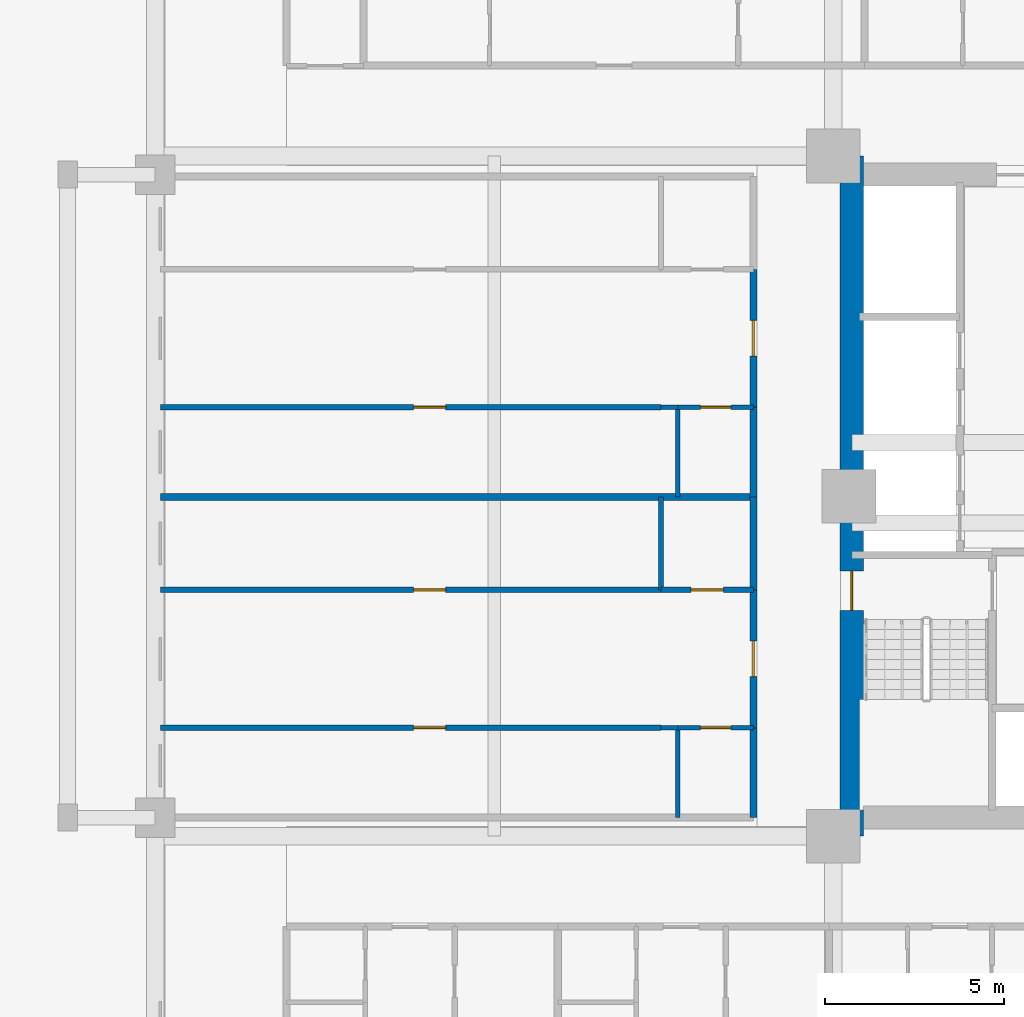
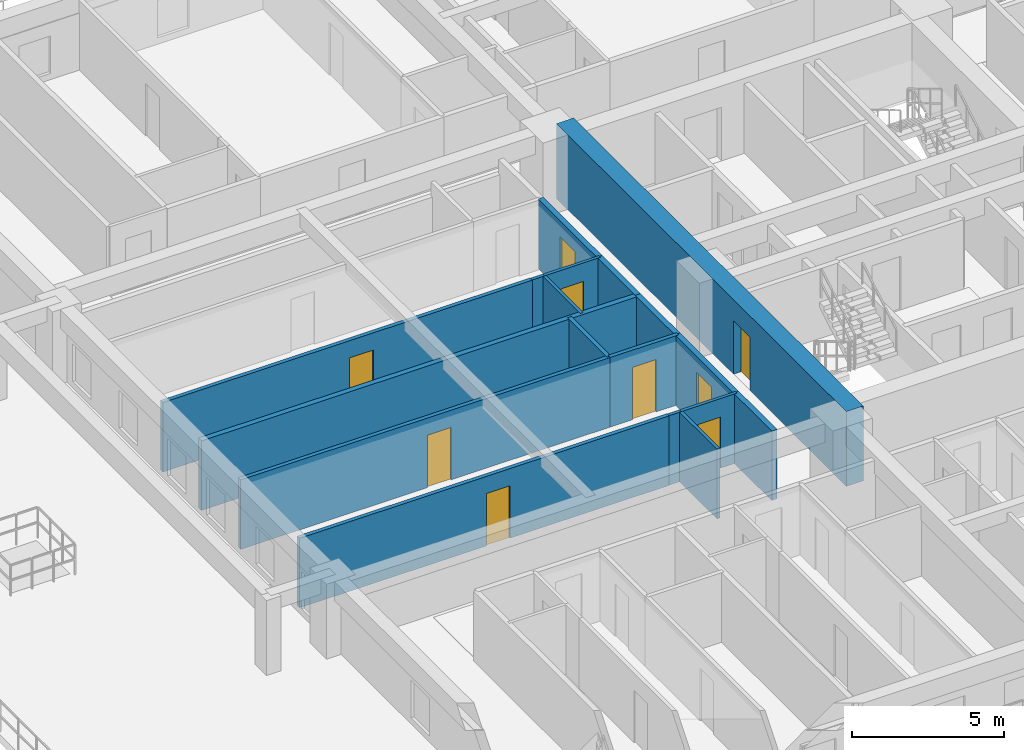
# One storey, part 3 of 19: 18 walls, 9 doors, 9 openings.
"""IFC4 building model written with IfcOpenShell, lengths in metres."""

from ifc_helpers import new_model, si_unit, direction, frame, frame_2d, origin, place, context, subcontext, project, spatial, rectangle, extrude, source, transform, mapped, material, layer, layer_set, type_object, element, fill, save


model = new_model("IFC4")

# Units and contexts
model_context = context("Model", 3, precision=1e-05, world=origin(), true_north=direction((0.0, 1.0)))
body_context = subcontext(model_context, "Body", "Model", "MODEL_VIEW")
ifc_project = project(units=[si_unit("LENGTHUNIT", "METRE"), si_unit("AREAUNIT", "SQUARE_METRE"), si_unit("VOLUMEUNIT", "CUBIC_METRE"), si_unit("PLANEANGLEUNIT", "RADIAN"), si_unit("MASSUNIT", "GRAM", prefix="KILO")], contexts=[model_context])

# Site, building, storey
site_placement = place(None, origin())
site = spatial("IfcSite", under=ifc_project, at=site_placement, CompositionType="ELEMENT")
building_placement = place(site_placement, origin())
building = spatial("IfcBuilding", under=site, at=building_placement, Name="Saelheon Loggia Tower", CompositionType="ELEMENT")
storey_placement = place(building_placement, frame((0.0, 0.0, 19.39990234375)))
storey = spatial("IfcBuildingStorey", under=building, at=storey_placement, Name="L05", CompositionType="ELEMENT", Elevation=19.39990234375)

# Wall, opening, door
ifc_material_1 = material(Name="Concrete C60/75", Category="concrete")
ifc_layer_1 = layer(ifc_material_1, 0.64990234375)
ifc_layer_set_1 = layer_set([ifc_layer_1], Name="Concrete C60/75")
wall_type_1 = type_object("IfcWallType", Name="Wall_CoreShear_650", PredefinedType="SHEAR", material=ifc_layer_set_1)
wall_1_placement = place(storey_placement, frame((31.5, 17.47998046875, 0.0), z_axis=(0.0, 0.0, 1.0), x_axis=(0.0, 1.0, 0.0)))
wall_1 = element("IfcWall", 1, at=wall_1_placement, inside=storey, type_object=wall_type_1, Name="L05 Core Shear Wall West", PredefinedType="SHEAR", context=body_context, shape_type="SweptSolid", body=[
    extrude(rectangle(XDim=19.0400390625, YDim=0.64990234375, at=frame_2d((9.52001953125, 0.0))), origin(), (0.0, 0.0, 1.0), 3.0),
])
opening_1_placement = place(wall_1_placement, frame((6.320068359375, 0.0, 0.0)))
opening_1 = element("IfcOpeningElement", 2, at=opening_1_placement, cuts=wall_1, Name="Opening D-FD2", PredefinedType="OPENING", context=body_context, shape_type="SweptSolid", body=[
    extrude(rectangle(XDim=1.10009765625, YDim=2.14990234375, at=frame_2d((0.550048828125, 1.074951171875))), frame((0.0, 0.3369140625, 0.0), z_axis=(0.0, -1.0, 0.0), x_axis=(1.0, 0.0, 0.0)), (0.0, 0.0, 1.0), 0.673828125),
])
ifc_material_2 = material(Name="Galvanised Steel Fire Door", Category="steel")
door_type_1 = type_object("IfcDoorType", Name="Door_Fire_FD60_1100", OperationType="NOTDEFINED", PredefinedType="DOOR", material=ifc_material_2)
shared_shape_1 = source(origin(), body_context, "Body", "SweptSolid", [
    extrude(rectangle(XDim=1.10009765625, YDim=2.14990234375, at=frame_2d((0.550048828125, 1.074951171875))), frame((0.0, 0.02490234375, 0.0), z_axis=(0.0, -1.0, 0.0), x_axis=(1.0, 0.0, 0.0)), (0.0, 0.0, 1.0), 0.050048828125),
])
door_1_placement = place(opening_1_placement, origin())
door_1 = element("IfcDoor", 3, at=door_1_placement, inside=storey, type_object=door_type_1, Name="L05 Stair ST1 Corridor Door", OperationType="SINGLE_SWING_LEFT", OverallHeight=2.14990234375, OverallWidth=1.10009765625, PredefinedType="DOOR", context=body_context, shape_type="MappedRepresentation", body=[
    mapped(shared_shape_1, transform((0.0, 0.0, 0.0), scale=1.0)),
])
fill(opening_1, door_1)

# Wall
ifc_material_3 = material(Name="Lightweight Autoclaved Aerated Concrete Block and Acoustic Gypsum", Category="concrete")
ifc_layer_2 = layer(ifc_material_3, 0.14990234375)
ifc_layer_set_2 = layer_set([ifc_layer_2], Name="Lightweight Autoclaved Aerated Concrete Block and Acoustic Gypsum")
wall_type_2 = type_object("IfcWallType", Name="Wall_Part_150", PredefinedType="PARTITIONING", material=ifc_layer_set_2)
wall_2_placement = place(storey_placement, frame((26.159912109375, 24.375, 0.0), z_axis=(0.0, 0.0, 1.0), x_axis=(0.0, 1.0, 0.0)))
element("IfcWall", 4, at=wall_2_placement, inside=storey, type_object=wall_type_2, Name="L05 W Partition V07", PredefinedType="PARTITIONING", context=body_context, shape_type="SweptSolid", body=[
    extrude(rectangle(XDim=2.60009765625, YDim=0.14990234375, at=frame_2d((1.300048828125, 0.0))), origin(), (0.0, 0.0, 1.0), 2.7900390625),
])

# Wall, opening, door
wall_3_placement = place(storey_placement, frame((26.159912109375, 20.512939453125, 0.0), z_axis=(0.0, 0.0, 1.0), x_axis=(-1.0, 0.0, 0.0)))
wall_3 = element("IfcWall", 5, at=wall_3_placement, inside=storey, type_object=wall_type_2, Name="L05 W Partition U10", PredefinedType="PARTITIONING", context=body_context, shape_type="SweptSolid", body=[
    extrude(rectangle(XDim=14.010009765625, YDim=0.14990234375, at=frame_2d((7.0048828125, 0.0))), origin(), (0.0, 0.0, 1.0), 2.7900390625),
])
opening_2_placement = place(wall_3_placement, frame((6.02880859375, 0.0, 0.0)))
opening_2 = element("IfcOpeningElement", 6, at=opening_2_placement, cuts=wall_3, Name="Opening D-IN2", PredefinedType="OPENING", context=body_context, shape_type="SweptSolid", body=[
    extrude(rectangle(XDim=0.89990234375, YDim=2.10009765625, at=frame_2d((0.449951171875, 1.050048828125))), frame((0.0, 0.0869140625, 0.0), z_axis=(0.0, -1.0, 0.0), x_axis=(1.0, 0.0, 0.0)), (0.0, 0.0, 1.0), 0.173828125),
])
ifc_material_4 = material(Name="Engineered Oak Flush Door", Category="timber")
door_type_2 = type_object("IfcDoorType", Name="Door_Int_900", OperationType="NOTDEFINED", PredefinedType="DOOR", material=ifc_material_4)
shared_shape_2 = source(origin(), body_context, "Body", "SweptSolid", [
    extrude(rectangle(XDim=0.89990234375, YDim=2.10009765625, at=frame_2d((0.449951171875, 1.050048828125))), frame((0.0, 0.02490234375, 0.0), z_axis=(0.0, -1.0, 0.0), x_axis=(1.0, 0.0, 0.0)), (0.0, 0.0, 1.0), 0.050048828125),
])
door_2_placement = place(opening_2_placement, origin())
door_2 = element("IfcDoor", 7, at=door_2_placement, inside=storey, type_object=door_type_2, Name="Unit U11 Kitchen Door", OperationType="SINGLE_SWING_RIGHT", OverallHeight=2.10009765625, OverallWidth=0.89990234375, PredefinedType="DOOR", context=body_context, shape_type="MappedRepresentation", body=[
    mapped(shared_shape_2, transform((0.0, 0.0, 0.0), scale=1.0)),
])
fill(opening_2, door_2)

wall_4_placement = place(storey_placement, frame((28.75, 24.375, 0.0), z_axis=(0.0, 0.0, 1.0), x_axis=(-1.0, 0.0, 0.0)))
wall_4 = element("IfcWall", 8, at=wall_4_placement, inside=storey, type_object=wall_type_2, Name="L05 W Partition U11", PredefinedType="PARTITIONING", context=body_context, shape_type="SweptSolid", body=[
    extrude(rectangle(XDim=2.590087890625, YDim=0.14990234375, at=frame_2d((1.294921875, 0.0))), origin(), (0.0, 0.0, 1.0), 2.7900390625),
])
opening_3_placement = place(wall_4_placement, frame((0.844970703125, 0.0, 0.0)))
opening_3 = element("IfcOpeningElement", 9, at=opening_3_placement, cuts=wall_4, Name="Opening D-IN2", PredefinedType="OPENING", context=body_context, shape_type="SweptSolid", body=[
    extrude(rectangle(XDim=0.89990234375, YDim=2.10009765625, at=frame_2d((0.449951171875, 1.050048828125))), frame((0.0, 0.0869140625, 0.0), z_axis=(0.0, -1.0, 0.0), x_axis=(1.0, 0.0, 0.0)), (0.0, 0.0, 1.0), 0.173828125),
])
door_3_placement = place(opening_3_placement, origin())
door_3 = element("IfcDoor", 10, at=door_3_placement, inside=storey, type_object=door_type_2, Name="Unit U11 Dressing Closet Door", OperationType="SINGLE_SWING_LEFT", OverallHeight=2.10009765625, OverallWidth=0.89990234375, PredefinedType="DOOR", context=body_context, shape_type="MappedRepresentation", body=[
    mapped(shared_shape_2, transform((0.0, 0.0, 0.0), scale=1.0)),
])
fill(opening_3, door_3)

wall_5_placement = place(storey_placement, frame((26.159912109375, 24.375, 0.0), z_axis=(0.0, 0.0, 1.0), x_axis=(-1.0, 0.0, 0.0)))
wall_5 = element("IfcWall", 11, at=wall_5_placement, inside=storey, type_object=wall_type_2, Name="L05 W Partition U12", PredefinedType="PARTITIONING", context=body_context, shape_type="SweptSolid", body=[
    extrude(rectangle(XDim=14.010009765625, YDim=0.14990234375, at=frame_2d((7.0048828125, 0.0))), origin(), (0.0, 0.0, 1.0), 2.7900390625),
])
opening_4_placement = place(wall_5_placement, frame((6.02880859375, 0.0, 0.0)))
opening_4 = element("IfcOpeningElement", 12, at=opening_4_placement, cuts=wall_5, Name="Opening D-IN2", PredefinedType="OPENING", context=body_context, shape_type="SweptSolid", body=[
    extrude(rectangle(XDim=0.89990234375, YDim=2.10009765625, at=frame_2d((0.449951171875, 1.050048828125))), frame((0.0, 0.0869140625, 0.0), z_axis=(0.0, -1.0, 0.0), x_axis=(1.0, 0.0, 0.0)), (0.0, 0.0, 1.0), 0.173828125),
])
door_4_placement = place(opening_4_placement, origin())
door_4 = element("IfcDoor", 13, at=door_4_placement, inside=storey, type_object=door_type_2, Name="Unit U11 Bedroom 1 Door", OperationType="SINGLE_SWING_RIGHT", OverallHeight=2.10009765625, OverallWidth=0.89990234375, PredefinedType="DOOR", context=body_context, shape_type="MappedRepresentation", body=[
    mapped(shared_shape_2, transform((0.0, 0.0, 0.0), scale=1.0)),
])
fill(opening_4, door_4)

wall_6_placement = place(storey_placement, frame((26.159912109375, 29.488037109375, 0.0), z_axis=(0.0, 0.0, 1.0), x_axis=(-1.0, 0.0, 0.0)))
wall_6 = element("IfcWall", 14, at=wall_6_placement, inside=storey, type_object=wall_type_2, Name="L05 W Partition U21", PredefinedType="PARTITIONING", context=body_context, shape_type="SweptSolid", body=[
    extrude(rectangle(XDim=14.010009765625, YDim=0.14990234375, at=frame_2d((7.0048828125, 0.0))), origin(), (0.0, 0.0, 1.0), 2.7900390625),
])
opening_5_placement = place(wall_6_placement, frame((6.02880859375, 0.0, 0.0)))
opening_5 = element("IfcOpeningElement", 15, at=opening_5_placement, cuts=wall_6, Name="Opening D-IN2", PredefinedType="OPENING", context=body_context, shape_type="SweptSolid", body=[
    extrude(rectangle(XDim=0.89990234375, YDim=2.10009765625, at=frame_2d((0.449951171875, 1.050048828125))), frame((0.0, 0.0869140625, 0.0), z_axis=(0.0, -1.0, 0.0), x_axis=(1.0, 0.0, 0.0)), (0.0, 0.0, 1.0), 0.173828125),
])
door_5_placement = place(opening_5_placement, origin())
door_5 = element("IfcDoor", 16, at=door_5_placement, inside=storey, type_object=door_type_2, Name="Unit U12 Kitchen Door", OperationType="SINGLE_SWING_LEFT", OverallHeight=2.10009765625, OverallWidth=0.89990234375, PredefinedType="DOOR", context=body_context, shape_type="MappedRepresentation", body=[
    mapped(shared_shape_2, transform((0.0, 0.0, 0.0), scale=1.0)),
])
fill(opening_5, door_5)

# Wall
ifc_material_5 = material(Name="Double Acoustic Stud and Fireboard Partition", Category="gypsum")
ifc_layer_3 = layer(ifc_material_5, 0.199951171875)
ifc_layer_set_3 = layer_set([ifc_layer_3], Name="Double Acoustic Stud and Fireboard Partition")
wall_type_3 = type_object("IfcWallType", Name="Wall_Party_200", PredefinedType="PARTITIONING", material=ifc_layer_set_3)
wall_7_placement = place(storey_placement, frame((28.75, 18.0, 0.0), z_axis=(0.0, 0.0, 1.0), x_axis=(0.0, 1.0, 0.0)))
element("IfcWall", 17, at=wall_7_placement, inside=storey, type_object=wall_type_3, Name="L05 W Partition V03", PredefinedType="PARTITIONING", context=body_context, shape_type="SweptSolid", body=[
    extrude(rectangle(XDim=2.512939453125, YDim=0.199951171875, at=frame_2d((1.25634765625, 0.0))), origin(), (0.0, 0.0, 1.0), 2.7900390625),
])

# Wall, opening, door
wall_8_placement = place(storey_placement, frame((28.75, 20.512939453125, 0.0), z_axis=(0.0, 0.0, 1.0), x_axis=(0.0, 1.0, 0.0)))
wall_8 = element("IfcWall", 18, at=wall_8_placement, inside=storey, type_object=wall_type_3, Name="L05 W Partition V04", PredefinedType="PARTITIONING", context=body_context, shape_type="SweptSolid", body=[
    extrude(rectangle(XDim=3.862060546875, YDim=0.199951171875, at=frame_2d((1.93115234375, 0.0))), origin(), (0.0, 0.0, 1.0), 2.7900390625),
])
opening_6_placement = place(wall_8_placement, frame((1.430908203125, 0.0, 0.0)))
opening_6 = element("IfcOpeningElement", 19, at=opening_6_placement, cuts=wall_8, Name="Opening D-FD1", PredefinedType="OPENING", context=body_context, shape_type="SweptSolid", body=[
    extrude(rectangle(XDim=1.0, YDim=2.14990234375, at=frame_2d((0.5, 1.074951171875))), frame((0.0, 0.112060546875, 0.0), z_axis=(0.0, -1.0, 0.0), x_axis=(1.0, 0.0, 0.0)), (0.0, 0.0, 1.0), 0.223876953125),
])
ifc_material_6 = material(Name="Fire-Rated Engineered Timber Entrance Door", Category="wood")
door_type_3 = type_object("IfcDoorType", Name="Door_Flat_FD30S", OperationType="NOTDEFINED", PredefinedType="DOOR", material=ifc_material_6)
shared_shape_3 = source(origin(), body_context, "Body", "SweptSolid", [
    extrude(rectangle(XDim=1.0, YDim=2.14990234375, at=frame_2d((0.5, 1.074951171875))), frame((0.0, 0.02490234375, 0.0), z_axis=(0.0, -1.0, 0.0), x_axis=(1.0, 0.0, 0.0)), (0.0, 0.0, 1.0), 0.050048828125),
])
door_6_placement = place(opening_6_placement, origin())
door_6 = element("IfcDoor", 20, at=door_6_placement, inside=storey, type_object=door_type_3, Name="Unit U11 Entrance Door", OperationType="SINGLE_SWING_RIGHT", OverallHeight=2.14990234375, OverallWidth=1.0, PredefinedType="DOOR", context=body_context, shape_type="MappedRepresentation", body=[
    mapped(shared_shape_3, transform((0.0, 0.0, 0.0), scale=1.0)),
])
fill(opening_6, door_6)

# Walls
wall_9_placement = place(storey_placement, frame((28.75, 24.375, 0.0), z_axis=(0.0, 0.0, 1.0), x_axis=(0.0, 1.0, 0.0)))
element("IfcWall", 21, at=wall_9_placement, inside=storey, type_object=wall_type_3, Name="L05 W Partition V05", PredefinedType="PARTITIONING", context=body_context, shape_type="SweptSolid", body=[
    extrude(rectangle(XDim=2.60009765625, YDim=0.199951171875, at=frame_2d((1.300048828125, 0.0))), origin(), (0.0, 0.0, 1.0), 2.7900390625),
])
wall_10_placement = place(storey_placement, frame((28.75, 26.97509765625, 0.0), z_axis=(0.0, 0.0, 1.0), x_axis=(-1.0, 0.0, 0.0)))
element("IfcWall", 22, at=wall_10_placement, inside=storey, type_object=wall_type_3, Name="L05 W Partition U13", PredefinedType="PARTITIONING", context=body_context, shape_type="SweptSolid", body=[
    extrude(rectangle(XDim=16.60009765625, YDim=0.199951171875, at=frame_2d((8.300048828125, 0.0))), origin(), (0.0, 0.0, 1.0), 2.7900390625),
])
wall_11_placement = place(storey_placement, frame((28.75, 26.97509765625, 0.0), z_axis=(0.0, 0.0, 1.0), x_axis=(0.0, 1.0, 0.0)))
element("IfcWall", 23, at=wall_11_placement, inside=storey, type_object=wall_type_3, Name="L05 W Partition V14", PredefinedType="PARTITIONING", context=body_context, shape_type="SweptSolid", body=[
    extrude(rectangle(XDim=2.512939453125, YDim=0.199951171875, at=frame_2d((1.25634765625, 0.0))), origin(), (0.0, 0.0, 1.0), 2.7900390625),
])

# Wall, opening, door
wall_12_placement = place(storey_placement, frame((28.75, 29.488037109375, 0.0), z_axis=(0.0, 0.0, 1.0), x_axis=(0.0, 1.0, 0.0)))
wall_12 = element("IfcWall", 24, at=wall_12_placement, inside=storey, type_object=wall_type_3, Name="L05 W Partition V15", PredefinedType="PARTITIONING", context=body_context, shape_type="SweptSolid", body=[
    extrude(rectangle(XDim=3.862060546875, YDim=0.199951171875, at=frame_2d((1.93115234375, 0.0))), origin(), (0.0, 0.0, 1.0), 2.7900390625),
])
opening_7_placement = place(wall_12_placement, frame((1.430908203125, 0.0, 0.0)))
opening_7 = element("IfcOpeningElement", 25, at=opening_7_placement, cuts=wall_12, Name="Opening D-FD1", PredefinedType="OPENING", context=body_context, shape_type="SweptSolid", body=[
    extrude(rectangle(XDim=1.0, YDim=2.14990234375, at=frame_2d((0.5, 1.074951171875))), frame((0.0, 0.112060546875, 0.0), z_axis=(0.0, -1.0, 0.0), x_axis=(1.0, 0.0, 0.0)), (0.0, 0.0, 1.0), 0.223876953125),
])
door_7_placement = place(opening_7_placement, origin())
door_7 = element("IfcDoor", 26, at=door_7_placement, inside=storey, type_object=door_type_3, Name="Unit U12 Entrance Door", OperationType="SINGLE_SWING_LEFT", OverallHeight=2.14990234375, OverallWidth=1.0, PredefinedType="DOOR", context=body_context, shape_type="MappedRepresentation", body=[
    mapped(shared_shape_3, transform((0.0, 0.0, 0.0), scale=1.0)),
])
fill(opening_7, door_7)

# Wall
ifc_material_7 = material(Name="Moisture-Resistant Cement Board Partition", Category="gypsum")
ifc_layer_4 = layer(ifc_material_7, 0.1201171875)
ifc_layer_set_4 = layer_set([ifc_layer_4], Name="Moisture-Resistant Cement Board Partition")
wall_type_4 = type_object("IfcWallType", Name="Wall_WetPart_120", PredefinedType="PARTITIONING", material=ifc_layer_set_4)
wall_13_placement = place(storey_placement, frame((26.6298828125, 18.0, 0.0), z_axis=(0.0, 0.0, 1.0), x_axis=(0.0, 1.0, 0.0)))
element("IfcWall", 27, at=wall_13_placement, inside=storey, type_object=wall_type_4, Name="L05 W Partition V06", PredefinedType="PARTITIONING", context=body_context, shape_type="SweptSolid", body=[
    extrude(rectangle(XDim=2.512939453125, YDim=0.1201171875, at=frame_2d((1.25634765625, 0.0))), origin(), (0.0, 0.0, 1.0), 2.7900390625),
])

# Wall, opening, door
wall_14_placement = place(storey_placement, frame((28.75, 20.512939453125, 0.0), z_axis=(0.0, 0.0, 1.0), x_axis=(-1.0, 0.0, 0.0)))
wall_14 = element("IfcWall", 28, at=wall_14_placement, inside=storey, type_object=wall_type_4, Name="L05 W Partition U08", PredefinedType="PARTITIONING", context=body_context, shape_type="SweptSolid", body=[
    extrude(rectangle(XDim=2.1201171875, YDim=0.1201171875, at=frame_2d((1.06005859375, 0.0))), origin(), (0.0, 0.0, 1.0), 2.7900390625),
])
opening_8_placement = place(wall_14_placement, frame((0.635009765625, 0.0, 0.0)))
opening_8 = element("IfcOpeningElement", 29, at=opening_8_placement, cuts=wall_14, Name="Opening D-BT1", PredefinedType="OPENING", context=body_context, shape_type="SweptSolid", body=[
    extrude(rectangle(XDim=0.85009765625, YDim=2.050048828125, at=frame_2d((0.425048828125, 1.02490234375))), frame((0.0, 0.072021484375, 0.0), z_axis=(0.0, -1.0, 0.0), x_axis=(1.0, 0.0, 0.0)), (0.0, 0.0, 1.0), 0.14404296875),
])
ifc_material_8 = material(Name="Moisture-Resistant Laminate Timber Door", Category="wood")
door_type_4 = type_object("IfcDoorType", Name="Door_Bath_850", OperationType="NOTDEFINED", PredefinedType="DOOR", material=ifc_material_8)
shared_shape_4 = source(origin(), body_context, "Body", "SweptSolid", [
    extrude(rectangle(XDim=0.85009765625, YDim=2.050048828125, at=frame_2d((0.425048828125, 1.02490234375))), frame((0.0, 0.02490234375, 0.0), z_axis=(0.0, -1.0, 0.0), x_axis=(1.0, 0.0, 0.0)), (0.0, 0.0, 1.0), 0.050048828125),
])
door_8_placement = place(opening_8_placement, origin())
door_8 = element("IfcDoor", 30, at=door_8_placement, inside=storey, type_object=door_type_4, Name="Unit U11 Bathroom Door", OperationType="SINGLE_SWING_LEFT", OverallHeight=2.050048828125, OverallWidth=0.85009765625, PredefinedType="DOOR", context=body_context, shape_type="MappedRepresentation", body=[
    mapped(shared_shape_4, transform((0.0, 0.0, 0.0), scale=1.0)),
])
fill(opening_8, door_8)

# Walls
wall_15_placement = place(storey_placement, frame((26.6298828125, 20.512939453125, 0.0), z_axis=(0.0, 0.0, 1.0), x_axis=(-1.0, 0.0, 0.0)))
element("IfcWall", 31, at=wall_15_placement, inside=storey, type_object=wall_type_4, Name="L05 W Partition U09", PredefinedType="PARTITIONING", context=body_context, shape_type="SweptSolid", body=[
    extrude(rectangle(XDim=0.469970703125, YDim=0.1201171875, at=frame_2d((0.23486328125, 0.0))), origin(), (0.0, 0.0, 1.0), 2.7900390625),
])
wall_16_placement = place(storey_placement, frame((26.6298828125, 26.97509765625, 0.0), z_axis=(0.0, 0.0, 1.0), x_axis=(0.0, 1.0, 0.0)))
element("IfcWall", 32, at=wall_16_placement, inside=storey, type_object=wall_type_4, Name="L05 W Partition V17", PredefinedType="PARTITIONING", context=body_context, shape_type="SweptSolid", body=[
    extrude(rectangle(XDim=2.512939453125, YDim=0.1201171875, at=frame_2d((1.25634765625, 0.0))), origin(), (0.0, 0.0, 1.0), 2.7900390625),
])

# Wall, opening, door
wall_17_placement = place(storey_placement, frame((28.75, 29.488037109375, 0.0), z_axis=(0.0, 0.0, 1.0), x_axis=(-1.0, 0.0, 0.0)))
wall_17 = element("IfcWall", 33, at=wall_17_placement, inside=storey, type_object=wall_type_4, Name="L05 W Partition U19", PredefinedType="PARTITIONING", context=body_context, shape_type="SweptSolid", body=[
    extrude(rectangle(XDim=2.1201171875, YDim=0.1201171875, at=frame_2d((1.06005859375, 0.0))), origin(), (0.0, 0.0, 1.0), 2.7900390625),
])
opening_9_placement = place(wall_17_placement, frame((0.635009765625, 0.0, 0.0)))
opening_9 = element("IfcOpeningElement", 34, at=opening_9_placement, cuts=wall_17, Name="Opening D-BT1", PredefinedType="OPENING", context=body_context, shape_type="SweptSolid", body=[
    extrude(rectangle(XDim=0.85009765625, YDim=2.050048828125, at=frame_2d((0.425048828125, 1.02490234375))), frame((0.0, 0.072021484375, 0.0), z_axis=(0.0, -1.0, 0.0), x_axis=(1.0, 0.0, 0.0)), (0.0, 0.0, 1.0), 0.14404296875),
])
door_9_placement = place(opening_9_placement, origin())
door_9 = element("IfcDoor", 35, at=door_9_placement, inside=storey, type_object=door_type_4, Name="Unit U12 Bathroom Door", OperationType="SINGLE_SWING_RIGHT", OverallHeight=2.050048828125, OverallWidth=0.85009765625, PredefinedType="DOOR", context=body_context, shape_type="MappedRepresentation", body=[
    mapped(shared_shape_4, transform((0.0, 0.0, 0.0), scale=1.0)),
])
fill(opening_9, door_9)

# Wall
wall_18_placement = place(storey_placement, frame((26.6298828125, 29.488037109375, 0.0), z_axis=(0.0, 0.0, 1.0), x_axis=(-1.0, 0.0, 0.0)))
element("IfcWall", 36, at=wall_18_placement, inside=storey, type_object=wall_type_4, Name="L05 W Partition U20", PredefinedType="PARTITIONING", context=body_context, shape_type="SweptSolid", body=[
    extrude(rectangle(XDim=0.469970703125, YDim=0.1201171875, at=frame_2d((0.23486328125, 0.0))), origin(), (0.0, 0.0, 1.0), 2.7900390625),
])

save(model, "model.ifc")
